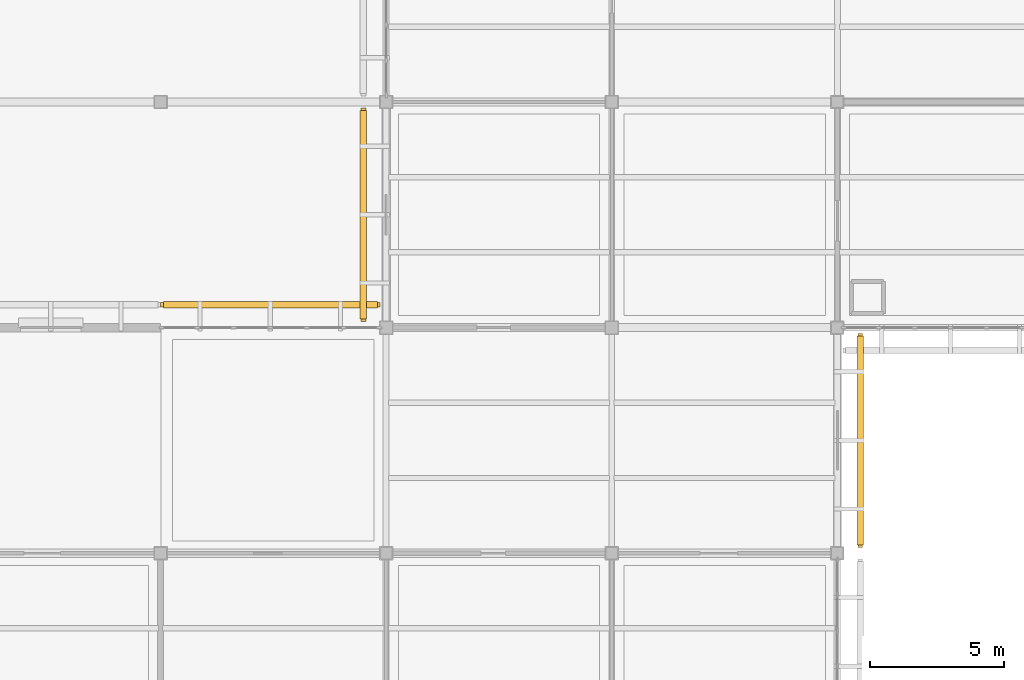
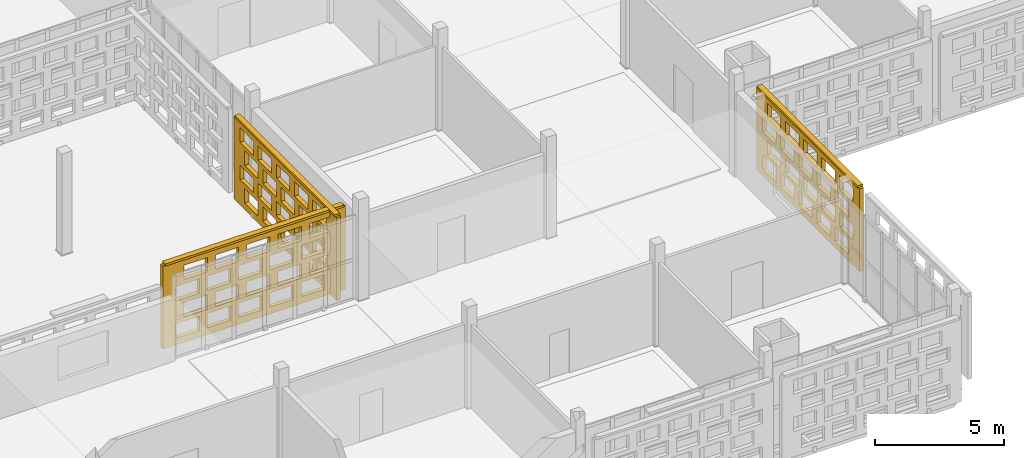
# One storey, part 140 of 203: 3 coverings, 3 shading devices, 60 openings.
"""IFC4 building model written with IfcOpenShell, lengths in metres."""

from ifc_helpers import new_model, si_unit, direction, frame, frame_2d, origin, origin_2d, place, context, subcontext, project, spatial, rectangle, extrude, material, layer, layer_set, type_object, element, save


model = new_model("IFC4")

# Units and contexts
model_context = context("Model", 3, precision=1e-05, world=origin(), true_north=direction((0.0, 1.0)))
body_context = subcontext(model_context, "Body", "Model", "MODEL_VIEW")
ifc_project = project(units=[si_unit("LENGTHUNIT", "METRE"), si_unit("AREAUNIT", "SQUARE_METRE"), si_unit("VOLUMEUNIT", "CUBIC_METRE"), si_unit("PLANEANGLEUNIT", "RADIAN"), si_unit("MASSUNIT", "GRAM", prefix="KILO")], contexts=[model_context])

# Site, building, storey
site_placement = place(None, origin())
site = spatial("IfcSite", under=ifc_project, at=site_placement, CompositionType="ELEMENT")
building_placement = place(site_placement, origin())
building = spatial("IfcBuilding", under=site, at=building_placement, Name="Varnapada Polytechnic", CompositionType="ELEMENT")
storey_placement = place(building_placement, frame((0.0, 0.0, 4.800048828125)))
storey = spatial("IfcBuildingStorey", under=building, at=storey_placement, Name="L01", CompositionType="ELEMENT", Elevation=4.800048828125)

# Covering, openings
ifc_material = material(Name="Earth-toned architectural terracotta screen block", Category="masonry")
ifc_layer_1 = layer(ifc_material, 0.1201171875)
ifc_layer_set_1 = layer_set([ifc_layer_1], Name="Earth-toned architectural terracotta screen block")
covering_type = type_object("IfcCoveringType", Name="Terracotta Screen Cladding CLD-01", PredefinedType="CLADDING", material=ifc_layer_set_1)
covering_1_placement = place(storey_placement, frame((33.60009765625, 17.64990234375, 0.0), z_axis=(0.0, 0.0, 1.0), x_axis=(1.0, 0.0, 0.0)))
covering_1 = element("IfcCovering", 1, at=covering_1_placement, inside=storey, type_object=covering_type, Name="L01 perforated terracotta block screen (29)", PredefinedType="CLADDING", context=body_context, shape_type="SweptSolid", body=[
    extrude(rectangle(XDim=8.169921875, YDim=0.179931640625, at=frame_2d((4.0849609375, 0.0))), origin(), (0.0, 0.0, 1.0), 3.919921875),
])
opening_1_placement = place(covering_1_placement, frame((0.5849609375, 0.0, 0.313720703125)))
element("IfcOpeningElement", 2, at=opening_1_placement, cuts=covering_1, Name="Screen perforation TBS-L01-028.1", PredefinedType="OPENING", context=body_context, shape_type="SweptSolid", body=[
    extrude(rectangle(XDim=1.0400390625, YDim=0.679931640625, at=frame_2d((0.52001953125, 0.33984375))), frame((0.0, 0.099853515625, 0.0), z_axis=(0.0, -1.0, 0.0), x_axis=(1.0, 0.0, 0.0)), (0.0, 0.0, 1.0), 0.199951171875),
])
opening_2_placement = place(covering_1_placement, frame((1.985107421875, 0.0, 0.313720703125)))
element("IfcOpeningElement", 3, at=opening_2_placement, cuts=covering_1, Name="Screen perforation TBS-L01-028.2", PredefinedType="OPENING", context=body_context, shape_type="SweptSolid", body=[
    extrude(rectangle(XDim=1.0400390625, YDim=0.679931640625, at=frame_2d((0.52001953125, 0.33984375))), frame((0.0, 0.099853515625, 0.0), z_axis=(0.0, -1.0, 0.0), x_axis=(1.0, 0.0, 0.0)), (0.0, 0.0, 1.0), 0.199951171875),
])
opening_3_placement = place(covering_1_placement, frame((3.385009765625, 0.0, 0.313720703125)))
element("IfcOpeningElement", 4, at=opening_3_placement, cuts=covering_1, Name="Screen perforation TBS-L01-028.3", PredefinedType="OPENING", context=body_context, shape_type="SweptSolid", body=[
    extrude(rectangle(XDim=1.0400390625, YDim=0.679931640625, at=frame_2d((0.52001953125, 0.33984375))), frame((0.0, 0.099853515625, 0.0), z_axis=(0.0, -1.0, 0.0), x_axis=(1.0, 0.0, 0.0)), (0.0, 0.0, 1.0), 0.199951171875),
])
opening_4_placement = place(covering_1_placement, frame((4.784912109375, 0.0, 0.313720703125)))
element("IfcOpeningElement", 5, at=opening_4_placement, cuts=covering_1, Name="Screen perforation TBS-L01-028.4", PredefinedType="OPENING", context=body_context, shape_type="SweptSolid", body=[
    extrude(rectangle(XDim=1.0400390625, YDim=0.679931640625, at=frame_2d((0.52001953125, 0.33984375))), frame((0.0, 0.099853515625, 0.0), z_axis=(0.0, -1.0, 0.0), x_axis=(1.0, 0.0, 0.0)), (0.0, 0.0, 1.0), 0.199951171875),
])
opening_5_placement = place(covering_1_placement, frame((6.18505859375, 0.0, 0.313720703125)))
element("IfcOpeningElement", 6, at=opening_5_placement, cuts=covering_1, Name="Screen perforation TBS-L01-028.5", PredefinedType="OPENING", context=body_context, shape_type="SweptSolid", body=[
    extrude(rectangle(XDim=1.0400390625, YDim=0.679931640625, at=frame_2d((0.52001953125, 0.33984375))), frame((0.0, 0.099853515625, 0.0), z_axis=(0.0, -1.0, 0.0), x_axis=(1.0, 0.0, 0.0)), (0.0, 0.0, 1.0), 0.199951171875),
])
opening_6_placement = place(covering_1_placement, frame((0.945068359375, 0.0, 1.195556640625)))
element("IfcOpeningElement", 7, at=opening_6_placement, cuts=covering_1, Name="Screen perforation TBS-L01-028.6", PredefinedType="OPENING", context=body_context, shape_type="SweptSolid", body=[
    extrude(rectangle(XDim=1.0400390625, YDim=0.679931640625, at=frame_2d((0.52001953125, 0.33984375))), frame((0.0, 0.099853515625, 0.0), z_axis=(0.0, -1.0, 0.0), x_axis=(1.0, 0.0, 0.0)), (0.0, 0.0, 1.0), 0.199951171875),
])
opening_7_placement = place(covering_1_placement, frame((2.344970703125, 0.0, 1.195556640625)))
element("IfcOpeningElement", 8, at=opening_7_placement, cuts=covering_1, Name="Screen perforation TBS-L01-028.7", PredefinedType="OPENING", context=body_context, shape_type="SweptSolid", body=[
    extrude(rectangle(XDim=1.0400390625, YDim=0.679931640625, at=frame_2d((0.52001953125, 0.33984375))), frame((0.0, 0.099853515625, 0.0), z_axis=(0.0, -1.0, 0.0), x_axis=(1.0, 0.0, 0.0)), (0.0, 0.0, 1.0), 0.199951171875),
])
opening_8_placement = place(covering_1_placement, frame((3.7451171875, 0.0, 1.195556640625)))
element("IfcOpeningElement", 9, at=opening_8_placement, cuts=covering_1, Name="Screen perforation TBS-L01-028.8", PredefinedType="OPENING", context=body_context, shape_type="SweptSolid", body=[
    extrude(rectangle(XDim=1.0400390625, YDim=0.679931640625, at=frame_2d((0.52001953125, 0.33984375))), frame((0.0, 0.099853515625, 0.0), z_axis=(0.0, -1.0, 0.0), x_axis=(1.0, 0.0, 0.0)), (0.0, 0.0, 1.0), 0.199951171875),
])
opening_9_placement = place(covering_1_placement, frame((5.14501953125, 0.0, 1.195556640625)))
element("IfcOpeningElement", 10, at=opening_9_placement, cuts=covering_1, Name="Screen perforation TBS-L01-028.9", PredefinedType="OPENING", context=body_context, shape_type="SweptSolid", body=[
    extrude(rectangle(XDim=1.0400390625, YDim=0.679931640625, at=frame_2d((0.52001953125, 0.33984375))), frame((0.0, 0.099853515625, 0.0), z_axis=(0.0, -1.0, 0.0), x_axis=(1.0, 0.0, 0.0)), (0.0, 0.0, 1.0), 0.199951171875),
])
opening_10_placement = place(covering_1_placement, frame((6.544921875, 0.0, 1.195556640625)))
element("IfcOpeningElement", 11, at=opening_10_placement, cuts=covering_1, Name="Screen perforation TBS-L01-028.10", PredefinedType="OPENING", context=body_context, shape_type="SweptSolid", body=[
    extrude(rectangle(XDim=1.0400390625, YDim=0.679931640625, at=frame_2d((0.52001953125, 0.33984375))), frame((0.0, 0.099853515625, 0.0), z_axis=(0.0, -1.0, 0.0), x_axis=(1.0, 0.0, 0.0)), (0.0, 0.0, 1.0), 0.199951171875),
])
opening_11_placement = place(covering_1_placement, frame((0.5849609375, 0.0, 2.07763671875)))
element("IfcOpeningElement", 12, at=opening_11_placement, cuts=covering_1, Name="Screen perforation TBS-L01-028.11", PredefinedType="OPENING", context=body_context, shape_type="SweptSolid", body=[
    extrude(rectangle(XDim=1.0400390625, YDim=0.679931640625, at=frame_2d((0.52001953125, 0.33984375))), frame((0.0, 0.099853515625, 0.0), z_axis=(0.0, -1.0, 0.0), x_axis=(1.0, 0.0, 0.0)), (0.0, 0.0, 1.0), 0.199951171875),
])
opening_12_placement = place(covering_1_placement, frame((1.985107421875, 0.0, 2.07763671875)))
element("IfcOpeningElement", 13, at=opening_12_placement, cuts=covering_1, Name="Screen perforation TBS-L01-028.12", PredefinedType="OPENING", context=body_context, shape_type="SweptSolid", body=[
    extrude(rectangle(XDim=1.0400390625, YDim=0.679931640625, at=frame_2d((0.52001953125, 0.33984375))), frame((0.0, 0.099853515625, 0.0), z_axis=(0.0, -1.0, 0.0), x_axis=(1.0, 0.0, 0.0)), (0.0, 0.0, 1.0), 0.199951171875),
])
opening_13_placement = place(covering_1_placement, frame((3.385009765625, 0.0, 2.07763671875)))
element("IfcOpeningElement", 14, at=opening_13_placement, cuts=covering_1, Name="Screen perforation TBS-L01-028.13", PredefinedType="OPENING", context=body_context, shape_type="SweptSolid", body=[
    extrude(rectangle(XDim=1.0400390625, YDim=0.679931640625, at=frame_2d((0.52001953125, 0.33984375))), frame((0.0, 0.099853515625, 0.0), z_axis=(0.0, -1.0, 0.0), x_axis=(1.0, 0.0, 0.0)), (0.0, 0.0, 1.0), 0.199951171875),
])
opening_14_placement = place(covering_1_placement, frame((4.784912109375, 0.0, 2.07763671875)))
element("IfcOpeningElement", 15, at=opening_14_placement, cuts=covering_1, Name="Screen perforation TBS-L01-028.14", PredefinedType="OPENING", context=body_context, shape_type="SweptSolid", body=[
    extrude(rectangle(XDim=1.0400390625, YDim=0.679931640625, at=frame_2d((0.52001953125, 0.33984375))), frame((0.0, 0.099853515625, 0.0), z_axis=(0.0, -1.0, 0.0), x_axis=(1.0, 0.0, 0.0)), (0.0, 0.0, 1.0), 0.199951171875),
])
opening_15_placement = place(covering_1_placement, frame((6.18505859375, 0.0, 2.07763671875)))
element("IfcOpeningElement", 16, at=opening_15_placement, cuts=covering_1, Name="Screen perforation TBS-L01-028.15", PredefinedType="OPENING", context=body_context, shape_type="SweptSolid", body=[
    extrude(rectangle(XDim=1.0400390625, YDim=0.679931640625, at=frame_2d((0.52001953125, 0.33984375))), frame((0.0, 0.099853515625, 0.0), z_axis=(0.0, -1.0, 0.0), x_axis=(1.0, 0.0, 0.0)), (0.0, 0.0, 1.0), 0.199951171875),
])
opening_16_placement = place(covering_1_placement, frame((0.945068359375, 0.0, 2.959716796875)))
element("IfcOpeningElement", 17, at=opening_16_placement, cuts=covering_1, Name="Screen perforation TBS-L01-028.16", PredefinedType="OPENING", context=body_context, shape_type="SweptSolid", body=[
    extrude(rectangle(XDim=1.0400390625, YDim=0.679931640625, at=frame_2d((0.52001953125, 0.33984375))), frame((0.0, 0.099853515625, 0.0), z_axis=(0.0, -1.0, 0.0), x_axis=(1.0, 0.0, 0.0)), (0.0, 0.0, 1.0), 0.199951171875),
])
opening_17_placement = place(covering_1_placement, frame((2.344970703125, 0.0, 2.959716796875)))
element("IfcOpeningElement", 18, at=opening_17_placement, cuts=covering_1, Name="Screen perforation TBS-L01-028.17", PredefinedType="OPENING", context=body_context, shape_type="SweptSolid", body=[
    extrude(rectangle(XDim=1.0400390625, YDim=0.679931640625, at=frame_2d((0.52001953125, 0.33984375))), frame((0.0, 0.099853515625, 0.0), z_axis=(0.0, -1.0, 0.0), x_axis=(1.0, 0.0, 0.0)), (0.0, 0.0, 1.0), 0.199951171875),
])
opening_18_placement = place(covering_1_placement, frame((3.7451171875, 0.0, 2.959716796875)))
element("IfcOpeningElement", 19, at=opening_18_placement, cuts=covering_1, Name="Screen perforation TBS-L01-028.18", PredefinedType="OPENING", context=body_context, shape_type="SweptSolid", body=[
    extrude(rectangle(XDim=1.0400390625, YDim=0.679931640625, at=frame_2d((0.52001953125, 0.33984375))), frame((0.0, 0.099853515625, 0.0), z_axis=(0.0, -1.0, 0.0), x_axis=(1.0, 0.0, 0.0)), (0.0, 0.0, 1.0), 0.199951171875),
])
opening_19_placement = place(covering_1_placement, frame((5.14501953125, 0.0, 2.959716796875)))
element("IfcOpeningElement", 20, at=opening_19_placement, cuts=covering_1, Name="Screen perforation TBS-L01-028.19", PredefinedType="OPENING", context=body_context, shape_type="SweptSolid", body=[
    extrude(rectangle(XDim=1.0400390625, YDim=0.679931640625, at=frame_2d((0.52001953125, 0.33984375))), frame((0.0, 0.099853515625, 0.0), z_axis=(0.0, -1.0, 0.0), x_axis=(1.0, 0.0, 0.0)), (0.0, 0.0, 1.0), 0.199951171875),
])
opening_20_placement = place(covering_1_placement, frame((6.544921875, 0.0, 2.959716796875)))
element("IfcOpeningElement", 21, at=opening_20_placement, cuts=covering_1, Name="Screen perforation TBS-L01-028.20", PredefinedType="OPENING", context=body_context, shape_type="SweptSolid", body=[
    extrude(rectangle(XDim=1.0400390625, YDim=0.679931640625, at=frame_2d((0.52001953125, 0.33984375))), frame((0.0, 0.099853515625, 0.0), z_axis=(0.0, -1.0, 0.0), x_axis=(1.0, 0.0, 0.0)), (0.0, 0.0, 1.0), 0.199951171875),
])

covering_2_placement = place(storey_placement, frame((41.14990234375, 17.030029296875, 0.0), z_axis=(0.0, 0.0, 1.0), x_axis=(0.0, 1.0, 0.0)))
covering_2 = element("IfcCovering", 22, at=covering_2_placement, inside=storey, type_object=covering_type, Name="L01 perforated terracotta block screen (38)", PredefinedType="CLADDING", context=body_context, shape_type="SweptSolid", body=[
    extrude(rectangle(XDim=7.949951171875, YDim=0.179931640625, at=frame_2d((3.97509765625, 0.0))), origin(), (0.0, 0.0, 1.0), 3.919921875),
])
opening_21_placement = place(covering_2_placement, frame((0.47509765625, 0.0, 0.313720703125)))
element("IfcOpeningElement", 23, at=opening_21_placement, cuts=covering_2, Name="Screen perforation TBS-L01-037.1", PredefinedType="OPENING", context=body_context, shape_type="SweptSolid", body=[
    extrude(rectangle(XDim=1.0400390625, YDim=0.679931640625, at=frame_2d((0.52001953125, 0.33984375))), frame((0.0, 0.099853515625, 0.0), z_axis=(0.0, -1.0, 0.0), x_axis=(1.0, 0.0, 0.0)), (0.0, 0.0, 1.0), 0.199951171875),
])
opening_22_placement = place(covering_2_placement, frame((1.875, 0.0, 0.313720703125)))
element("IfcOpeningElement", 24, at=opening_22_placement, cuts=covering_2, Name="Screen perforation TBS-L01-037.2", PredefinedType="OPENING", context=body_context, shape_type="SweptSolid", body=[
    extrude(rectangle(XDim=1.0400390625, YDim=0.679931640625, at=frame_2d((0.52001953125, 0.33984375))), frame((0.0, 0.099853515625, 0.0), z_axis=(0.0, -1.0, 0.0), x_axis=(1.0, 0.0, 0.0)), (0.0, 0.0, 1.0), 0.199951171875),
])
opening_23_placement = place(covering_2_placement, frame((3.27490234375, 0.0, 0.313720703125)))
element("IfcOpeningElement", 25, at=opening_23_placement, cuts=covering_2, Name="Screen perforation TBS-L01-037.3", PredefinedType="OPENING", context=body_context, shape_type="SweptSolid", body=[
    extrude(rectangle(XDim=1.0400390625, YDim=0.679931640625, at=frame_2d((0.52001953125, 0.33984375))), frame((0.0, 0.099853515625, 0.0), z_axis=(0.0, -1.0, 0.0), x_axis=(1.0, 0.0, 0.0)), (0.0, 0.0, 1.0), 0.199951171875),
])
opening_24_placement = place(covering_2_placement, frame((4.675048828125, 0.0, 0.313720703125)))
element("IfcOpeningElement", 26, at=opening_24_placement, cuts=covering_2, Name="Screen perforation TBS-L01-037.4", PredefinedType="OPENING", context=body_context, shape_type="SweptSolid", body=[
    extrude(rectangle(XDim=1.0400390625, YDim=0.679931640625, at=frame_2d((0.52001953125, 0.33984375))), frame((0.0, 0.099853515625, 0.0), z_axis=(0.0, -1.0, 0.0), x_axis=(1.0, 0.0, 0.0)), (0.0, 0.0, 1.0), 0.199951171875),
])
opening_25_placement = place(covering_2_placement, frame((6.074951171875, 0.0, 0.313720703125)))
element("IfcOpeningElement", 27, at=opening_25_placement, cuts=covering_2, Name="Screen perforation TBS-L01-037.5", PredefinedType="OPENING", context=body_context, shape_type="SweptSolid", body=[
    extrude(rectangle(XDim=1.0400390625, YDim=0.679931640625, at=frame_2d((0.52001953125, 0.33984375))), frame((0.0, 0.099853515625, 0.0), z_axis=(0.0, -1.0, 0.0), x_axis=(1.0, 0.0, 0.0)), (0.0, 0.0, 1.0), 0.199951171875),
])
opening_26_placement = place(covering_2_placement, frame((0.8349609375, 0.0, 1.195556640625)))
element("IfcOpeningElement", 28, at=opening_26_placement, cuts=covering_2, Name="Screen perforation TBS-L01-037.6", PredefinedType="OPENING", context=body_context, shape_type="SweptSolid", body=[
    extrude(rectangle(XDim=1.0400390625, YDim=0.679931640625, at=frame_2d((0.52001953125, 0.33984375))), frame((0.0, 0.099853515625, 0.0), z_axis=(0.0, -1.0, 0.0), x_axis=(1.0, 0.0, 0.0)), (0.0, 0.0, 1.0), 0.199951171875),
])
opening_27_placement = place(covering_2_placement, frame((2.235107421875, 0.0, 1.195556640625)))
element("IfcOpeningElement", 29, at=opening_27_placement, cuts=covering_2, Name="Screen perforation TBS-L01-037.7", PredefinedType="OPENING", context=body_context, shape_type="SweptSolid", body=[
    extrude(rectangle(XDim=1.0400390625, YDim=0.679931640625, at=frame_2d((0.52001953125, 0.33984375))), frame((0.0, 0.099853515625, 0.0), z_axis=(0.0, -1.0, 0.0), x_axis=(1.0, 0.0, 0.0)), (0.0, 0.0, 1.0), 0.199951171875),
])
opening_28_placement = place(covering_2_placement, frame((3.635009765625, 0.0, 1.195556640625)))
element("IfcOpeningElement", 30, at=opening_28_placement, cuts=covering_2, Name="Screen perforation TBS-L01-037.8", PredefinedType="OPENING", context=body_context, shape_type="SweptSolid", body=[
    extrude(rectangle(XDim=1.0400390625, YDim=0.679931640625, at=frame_2d((0.52001953125, 0.33984375))), frame((0.0, 0.099853515625, 0.0), z_axis=(0.0, -1.0, 0.0), x_axis=(1.0, 0.0, 0.0)), (0.0, 0.0, 1.0), 0.199951171875),
])
opening_29_placement = place(covering_2_placement, frame((5.034912109375, 0.0, 1.195556640625)))
element("IfcOpeningElement", 31, at=opening_29_placement, cuts=covering_2, Name="Screen perforation TBS-L01-037.9", PredefinedType="OPENING", context=body_context, shape_type="SweptSolid", body=[
    extrude(rectangle(XDim=1.0400390625, YDim=0.679931640625, at=frame_2d((0.52001953125, 0.33984375))), frame((0.0, 0.099853515625, 0.0), z_axis=(0.0, -1.0, 0.0), x_axis=(1.0, 0.0, 0.0)), (0.0, 0.0, 1.0), 0.199951171875),
])
opening_30_placement = place(covering_2_placement, frame((6.43505859375, 0.0, 1.195556640625)))
element("IfcOpeningElement", 32, at=opening_30_placement, cuts=covering_2, Name="Screen perforation TBS-L01-037.10", PredefinedType="OPENING", context=body_context, shape_type="SweptSolid", body=[
    extrude(rectangle(XDim=1.0400390625, YDim=0.679931640625, at=frame_2d((0.52001953125, 0.33984375))), frame((0.0, 0.099853515625, 0.0), z_axis=(0.0, -1.0, 0.0), x_axis=(1.0, 0.0, 0.0)), (0.0, 0.0, 1.0), 0.199951171875),
])
opening_31_placement = place(covering_2_placement, frame((0.47509765625, 0.0, 2.07763671875)))
element("IfcOpeningElement", 33, at=opening_31_placement, cuts=covering_2, Name="Screen perforation TBS-L01-037.11", PredefinedType="OPENING", context=body_context, shape_type="SweptSolid", body=[
    extrude(rectangle(XDim=1.0400390625, YDim=0.679931640625, at=frame_2d((0.52001953125, 0.33984375))), frame((0.0, 0.099853515625, 0.0), z_axis=(0.0, -1.0, 0.0), x_axis=(1.0, 0.0, 0.0)), (0.0, 0.0, 1.0), 0.199951171875),
])
opening_32_placement = place(covering_2_placement, frame((1.875, 0.0, 2.07763671875)))
element("IfcOpeningElement", 34, at=opening_32_placement, cuts=covering_2, Name="Screen perforation TBS-L01-037.12", PredefinedType="OPENING", context=body_context, shape_type="SweptSolid", body=[
    extrude(rectangle(XDim=1.0400390625, YDim=0.679931640625, at=frame_2d((0.52001953125, 0.33984375))), frame((0.0, 0.099853515625, 0.0), z_axis=(0.0, -1.0, 0.0), x_axis=(1.0, 0.0, 0.0)), (0.0, 0.0, 1.0), 0.199951171875),
])
opening_33_placement = place(covering_2_placement, frame((3.27490234375, 0.0, 2.07763671875)))
element("IfcOpeningElement", 35, at=opening_33_placement, cuts=covering_2, Name="Screen perforation TBS-L01-037.13", PredefinedType="OPENING", context=body_context, shape_type="SweptSolid", body=[
    extrude(rectangle(XDim=1.0400390625, YDim=0.679931640625, at=frame_2d((0.52001953125, 0.33984375))), frame((0.0, 0.099853515625, 0.0), z_axis=(0.0, -1.0, 0.0), x_axis=(1.0, 0.0, 0.0)), (0.0, 0.0, 1.0), 0.199951171875),
])
opening_34_placement = place(covering_2_placement, frame((4.675048828125, 0.0, 2.07763671875)))
element("IfcOpeningElement", 36, at=opening_34_placement, cuts=covering_2, Name="Screen perforation TBS-L01-037.14", PredefinedType="OPENING", context=body_context, shape_type="SweptSolid", body=[
    extrude(rectangle(XDim=1.0400390625, YDim=0.679931640625, at=frame_2d((0.52001953125, 0.33984375))), frame((0.0, 0.099853515625, 0.0), z_axis=(0.0, -1.0, 0.0), x_axis=(1.0, 0.0, 0.0)), (0.0, 0.0, 1.0), 0.199951171875),
])
opening_35_placement = place(covering_2_placement, frame((6.074951171875, 0.0, 2.07763671875)))
element("IfcOpeningElement", 37, at=opening_35_placement, cuts=covering_2, Name="Screen perforation TBS-L01-037.15", PredefinedType="OPENING", context=body_context, shape_type="SweptSolid", body=[
    extrude(rectangle(XDim=1.0400390625, YDim=0.679931640625, at=frame_2d((0.52001953125, 0.33984375))), frame((0.0, 0.099853515625, 0.0), z_axis=(0.0, -1.0, 0.0), x_axis=(1.0, 0.0, 0.0)), (0.0, 0.0, 1.0), 0.199951171875),
])
opening_36_placement = place(covering_2_placement, frame((0.8349609375, 0.0, 2.959716796875)))
element("IfcOpeningElement", 38, at=opening_36_placement, cuts=covering_2, Name="Screen perforation TBS-L01-037.16", PredefinedType="OPENING", context=body_context, shape_type="SweptSolid", body=[
    extrude(rectangle(XDim=1.0400390625, YDim=0.679931640625, at=frame_2d((0.52001953125, 0.33984375))), frame((0.0, 0.099853515625, 0.0), z_axis=(0.0, -1.0, 0.0), x_axis=(1.0, 0.0, 0.0)), (0.0, 0.0, 1.0), 0.199951171875),
])
opening_37_placement = place(covering_2_placement, frame((2.235107421875, 0.0, 2.959716796875)))
element("IfcOpeningElement", 39, at=opening_37_placement, cuts=covering_2, Name="Screen perforation TBS-L01-037.17", PredefinedType="OPENING", context=body_context, shape_type="SweptSolid", body=[
    extrude(rectangle(XDim=1.0400390625, YDim=0.679931640625, at=frame_2d((0.52001953125, 0.33984375))), frame((0.0, 0.099853515625, 0.0), z_axis=(0.0, -1.0, 0.0), x_axis=(1.0, 0.0, 0.0)), (0.0, 0.0, 1.0), 0.199951171875),
])
opening_38_placement = place(covering_2_placement, frame((3.635009765625, 0.0, 2.959716796875)))
element("IfcOpeningElement", 40, at=opening_38_placement, cuts=covering_2, Name="Screen perforation TBS-L01-037.18", PredefinedType="OPENING", context=body_context, shape_type="SweptSolid", body=[
    extrude(rectangle(XDim=1.0400390625, YDim=0.679931640625, at=frame_2d((0.52001953125, 0.33984375))), frame((0.0, 0.099853515625, 0.0), z_axis=(0.0, -1.0, 0.0), x_axis=(1.0, 0.0, 0.0)), (0.0, 0.0, 1.0), 0.199951171875),
])
opening_39_placement = place(covering_2_placement, frame((5.034912109375, 0.0, 2.959716796875)))
element("IfcOpeningElement", 41, at=opening_39_placement, cuts=covering_2, Name="Screen perforation TBS-L01-037.19", PredefinedType="OPENING", context=body_context, shape_type="SweptSolid", body=[
    extrude(rectangle(XDim=1.0400390625, YDim=0.679931640625, at=frame_2d((0.52001953125, 0.33984375))), frame((0.0, 0.099853515625, 0.0), z_axis=(0.0, -1.0, 0.0), x_axis=(1.0, 0.0, 0.0)), (0.0, 0.0, 1.0), 0.199951171875),
])
opening_40_placement = place(covering_2_placement, frame((6.43505859375, 0.0, 2.959716796875)))
element("IfcOpeningElement", 42, at=opening_40_placement, cuts=covering_2, Name="Screen perforation TBS-L01-037.20", PredefinedType="OPENING", context=body_context, shape_type="SweptSolid", body=[
    extrude(rectangle(XDim=1.0400390625, YDim=0.679931640625, at=frame_2d((0.52001953125, 0.33984375))), frame((0.0, 0.099853515625, 0.0), z_axis=(0.0, -1.0, 0.0), x_axis=(1.0, 0.0, 0.0)), (0.0, 0.0, 1.0), 0.199951171875),
])

covering_3_placement = place(storey_placement, frame((59.64990234375, 16.590087890625, 0.0), z_axis=(0.0, 0.0, 1.0), x_axis=(0.0, -1.0, 0.0)))
covering_3 = element("IfcCovering", 43, at=covering_3_placement, inside=storey, type_object=covering_type, Name="L01 perforated terracotta block screen (45)", PredefinedType="CLADDING", context=body_context, shape_type="SweptSolid", body=[
    extrude(rectangle(XDim=7.97998046875, YDim=0.179931640625, at=frame_2d((3.989990234375, 0.0))), origin(), (0.0, 0.0, 1.0), 3.919921875),
])
opening_41_placement = place(covering_3_placement, frame((0.489990234375, 0.0, 0.313720703125)))
element("IfcOpeningElement", 44, at=opening_41_placement, cuts=covering_3, Name="Screen perforation TBS-L01-044.1", PredefinedType="OPENING", context=body_context, shape_type="SweptSolid", body=[
    extrude(rectangle(XDim=1.0400390625, YDim=0.679931640625, at=frame_2d((0.52001953125, 0.33984375))), frame((0.0, 0.099853515625, 0.0), z_axis=(0.0, -1.0, 0.0), x_axis=(1.0, 0.0, 0.0)), (0.0, 0.0, 1.0), 0.199951171875),
])
opening_42_placement = place(covering_3_placement, frame((1.889892578125, 0.0, 0.313720703125)))
element("IfcOpeningElement", 45, at=opening_42_placement, cuts=covering_3, Name="Screen perforation TBS-L01-044.2", PredefinedType="OPENING", context=body_context, shape_type="SweptSolid", body=[
    extrude(rectangle(XDim=1.0400390625, YDim=0.679931640625, at=frame_2d((0.52001953125, 0.33984375))), frame((0.0, 0.099853515625, 0.0), z_axis=(0.0, -1.0, 0.0), x_axis=(1.0, 0.0, 0.0)), (0.0, 0.0, 1.0), 0.199951171875),
])
opening_43_placement = place(covering_3_placement, frame((3.2900390625, 0.0, 0.313720703125)))
element("IfcOpeningElement", 46, at=opening_43_placement, cuts=covering_3, Name="Screen perforation TBS-L01-044.3", PredefinedType="OPENING", context=body_context, shape_type="SweptSolid", body=[
    extrude(rectangle(XDim=1.0400390625, YDim=0.679931640625, at=frame_2d((0.52001953125, 0.33984375))), frame((0.0, 0.099853515625, 0.0), z_axis=(0.0, -1.0, 0.0), x_axis=(1.0, 0.0, 0.0)), (0.0, 0.0, 1.0), 0.199951171875),
])
opening_44_placement = place(covering_3_placement, frame((4.68994140625, 0.0, 0.313720703125)))
element("IfcOpeningElement", 47, at=opening_44_placement, cuts=covering_3, Name="Screen perforation TBS-L01-044.4", PredefinedType="OPENING", context=body_context, shape_type="SweptSolid", body=[
    extrude(rectangle(XDim=1.0400390625, YDim=0.679931640625, at=frame_2d((0.52001953125, 0.33984375))), frame((0.0, 0.099853515625, 0.0), z_axis=(0.0, -1.0, 0.0), x_axis=(1.0, 0.0, 0.0)), (0.0, 0.0, 1.0), 0.199951171875),
])
opening_45_placement = place(covering_3_placement, frame((6.090087890625, 0.0, 0.313720703125)))
element("IfcOpeningElement", 48, at=opening_45_placement, cuts=covering_3, Name="Screen perforation TBS-L01-044.5", PredefinedType="OPENING", context=body_context, shape_type="SweptSolid", body=[
    extrude(rectangle(XDim=1.0400390625, YDim=0.679931640625, at=frame_2d((0.52001953125, 0.33984375))), frame((0.0, 0.099853515625, 0.0), z_axis=(0.0, -1.0, 0.0), x_axis=(1.0, 0.0, 0.0)), (0.0, 0.0, 1.0), 0.199951171875),
])
opening_46_placement = place(covering_3_placement, frame((0.85009765625, 0.0, 1.195556640625)))
element("IfcOpeningElement", 49, at=opening_46_placement, cuts=covering_3, Name="Screen perforation TBS-L01-044.6", PredefinedType="OPENING", context=body_context, shape_type="SweptSolid", body=[
    extrude(rectangle(XDim=1.0400390625, YDim=0.679931640625, at=frame_2d((0.52001953125, 0.33984375))), frame((0.0, 0.099853515625, 0.0), z_axis=(0.0, -1.0, 0.0), x_axis=(1.0, 0.0, 0.0)), (0.0, 0.0, 1.0), 0.199951171875),
])
opening_47_placement = place(covering_3_placement, frame((2.25, 0.0, 1.195556640625)))
element("IfcOpeningElement", 50, at=opening_47_placement, cuts=covering_3, Name="Screen perforation TBS-L01-044.7", PredefinedType="OPENING", context=body_context, shape_type="SweptSolid", body=[
    extrude(rectangle(XDim=1.0400390625, YDim=0.679931640625, at=frame_2d((0.52001953125, 0.33984375))), frame((0.0, 0.099853515625, 0.0), z_axis=(0.0, -1.0, 0.0), x_axis=(1.0, 0.0, 0.0)), (0.0, 0.0, 1.0), 0.199951171875),
])
opening_48_placement = place(covering_3_placement, frame((3.64990234375, 0.0, 1.195556640625)))
element("IfcOpeningElement", 51, at=opening_48_placement, cuts=covering_3, Name="Screen perforation TBS-L01-044.8", PredefinedType="OPENING", context=body_context, shape_type="SweptSolid", body=[
    extrude(rectangle(XDim=1.0400390625, YDim=0.679931640625, at=frame_2d((0.52001953125, 0.33984375))), frame((0.0, 0.099853515625, 0.0), z_axis=(0.0, -1.0, 0.0), x_axis=(1.0, 0.0, 0.0)), (0.0, 0.0, 1.0), 0.199951171875),
])
opening_49_placement = place(covering_3_placement, frame((5.050048828125, 0.0, 1.195556640625)))
element("IfcOpeningElement", 52, at=opening_49_placement, cuts=covering_3, Name="Screen perforation TBS-L01-044.9", PredefinedType="OPENING", context=body_context, shape_type="SweptSolid", body=[
    extrude(rectangle(XDim=1.0400390625, YDim=0.679931640625, at=frame_2d((0.52001953125, 0.33984375))), frame((0.0, 0.099853515625, 0.0), z_axis=(0.0, -1.0, 0.0), x_axis=(1.0, 0.0, 0.0)), (0.0, 0.0, 1.0), 0.199951171875),
])
opening_50_placement = place(covering_3_placement, frame((6.449951171875, 0.0, 1.195556640625)))
element("IfcOpeningElement", 53, at=opening_50_placement, cuts=covering_3, Name="Screen perforation TBS-L01-044.10", PredefinedType="OPENING", context=body_context, shape_type="SweptSolid", body=[
    extrude(rectangle(XDim=1.0400390625, YDim=0.679931640625, at=frame_2d((0.52001953125, 0.33984375))), frame((0.0, 0.099853515625, 0.0), z_axis=(0.0, -1.0, 0.0), x_axis=(1.0, 0.0, 0.0)), (0.0, 0.0, 1.0), 0.199951171875),
])
opening_51_placement = place(covering_3_placement, frame((0.489990234375, 0.0, 2.07763671875)))
element("IfcOpeningElement", 54, at=opening_51_placement, cuts=covering_3, Name="Screen perforation TBS-L01-044.11", PredefinedType="OPENING", context=body_context, shape_type="SweptSolid", body=[
    extrude(rectangle(XDim=1.0400390625, YDim=0.679931640625, at=frame_2d((0.52001953125, 0.33984375))), frame((0.0, 0.099853515625, 0.0), z_axis=(0.0, -1.0, 0.0), x_axis=(1.0, 0.0, 0.0)), (0.0, 0.0, 1.0), 0.199951171875),
])
opening_52_placement = place(covering_3_placement, frame((1.889892578125, 0.0, 2.07763671875)))
element("IfcOpeningElement", 55, at=opening_52_placement, cuts=covering_3, Name="Screen perforation TBS-L01-044.12", PredefinedType="OPENING", context=body_context, shape_type="SweptSolid", body=[
    extrude(rectangle(XDim=1.0400390625, YDim=0.679931640625, at=frame_2d((0.52001953125, 0.33984375))), frame((0.0, 0.099853515625, 0.0), z_axis=(0.0, -1.0, 0.0), x_axis=(1.0, 0.0, 0.0)), (0.0, 0.0, 1.0), 0.199951171875),
])
opening_53_placement = place(covering_3_placement, frame((3.2900390625, 0.0, 2.07763671875)))
element("IfcOpeningElement", 56, at=opening_53_placement, cuts=covering_3, Name="Screen perforation TBS-L01-044.13", PredefinedType="OPENING", context=body_context, shape_type="SweptSolid", body=[
    extrude(rectangle(XDim=1.0400390625, YDim=0.679931640625, at=frame_2d((0.52001953125, 0.33984375))), frame((0.0, 0.099853515625, 0.0), z_axis=(0.0, -1.0, 0.0), x_axis=(1.0, 0.0, 0.0)), (0.0, 0.0, 1.0), 0.199951171875),
])
opening_54_placement = place(covering_3_placement, frame((4.68994140625, 0.0, 2.07763671875)))
element("IfcOpeningElement", 57, at=opening_54_placement, cuts=covering_3, Name="Screen perforation TBS-L01-044.14", PredefinedType="OPENING", context=body_context, shape_type="SweptSolid", body=[
    extrude(rectangle(XDim=1.0400390625, YDim=0.679931640625, at=frame_2d((0.52001953125, 0.33984375))), frame((0.0, 0.099853515625, 0.0), z_axis=(0.0, -1.0, 0.0), x_axis=(1.0, 0.0, 0.0)), (0.0, 0.0, 1.0), 0.199951171875),
])
opening_55_placement = place(covering_3_placement, frame((6.090087890625, 0.0, 2.07763671875)))
element("IfcOpeningElement", 58, at=opening_55_placement, cuts=covering_3, Name="Screen perforation TBS-L01-044.15", PredefinedType="OPENING", context=body_context, shape_type="SweptSolid", body=[
    extrude(rectangle(XDim=1.0400390625, YDim=0.679931640625, at=frame_2d((0.52001953125, 0.33984375))), frame((0.0, 0.099853515625, 0.0), z_axis=(0.0, -1.0, 0.0), x_axis=(1.0, 0.0, 0.0)), (0.0, 0.0, 1.0), 0.199951171875),
])
opening_56_placement = place(covering_3_placement, frame((0.85009765625, 0.0, 2.959716796875)))
element("IfcOpeningElement", 59, at=opening_56_placement, cuts=covering_3, Name="Screen perforation TBS-L01-044.16", PredefinedType="OPENING", context=body_context, shape_type="SweptSolid", body=[
    extrude(rectangle(XDim=1.0400390625, YDim=0.679931640625, at=frame_2d((0.52001953125, 0.33984375))), frame((0.0, 0.099853515625, 0.0), z_axis=(0.0, -1.0, 0.0), x_axis=(1.0, 0.0, 0.0)), (0.0, 0.0, 1.0), 0.199951171875),
])
opening_57_placement = place(covering_3_placement, frame((2.25, 0.0, 2.959716796875)))
element("IfcOpeningElement", 60, at=opening_57_placement, cuts=covering_3, Name="Screen perforation TBS-L01-044.17", PredefinedType="OPENING", context=body_context, shape_type="SweptSolid", body=[
    extrude(rectangle(XDim=1.0400390625, YDim=0.679931640625, at=frame_2d((0.52001953125, 0.33984375))), frame((0.0, 0.099853515625, 0.0), z_axis=(0.0, -1.0, 0.0), x_axis=(1.0, 0.0, 0.0)), (0.0, 0.0, 1.0), 0.199951171875),
])
opening_58_placement = place(covering_3_placement, frame((3.64990234375, 0.0, 2.959716796875)))
element("IfcOpeningElement", 61, at=opening_58_placement, cuts=covering_3, Name="Screen perforation TBS-L01-044.18", PredefinedType="OPENING", context=body_context, shape_type="SweptSolid", body=[
    extrude(rectangle(XDim=1.0400390625, YDim=0.679931640625, at=frame_2d((0.52001953125, 0.33984375))), frame((0.0, 0.099853515625, 0.0), z_axis=(0.0, -1.0, 0.0), x_axis=(1.0, 0.0, 0.0)), (0.0, 0.0, 1.0), 0.199951171875),
])
opening_59_placement = place(covering_3_placement, frame((5.050048828125, 0.0, 2.959716796875)))
element("IfcOpeningElement", 62, at=opening_59_placement, cuts=covering_3, Name="Screen perforation TBS-L01-044.19", PredefinedType="OPENING", context=body_context, shape_type="SweptSolid", body=[
    extrude(rectangle(XDim=1.0400390625, YDim=0.679931640625, at=frame_2d((0.52001953125, 0.33984375))), frame((0.0, 0.099853515625, 0.0), z_axis=(0.0, -1.0, 0.0), x_axis=(1.0, 0.0, 0.0)), (0.0, 0.0, 1.0), 0.199951171875),
])
opening_60_placement = place(covering_3_placement, frame((6.449951171875, 0.0, 2.959716796875)))
element("IfcOpeningElement", 63, at=opening_60_placement, cuts=covering_3, Name="Screen perforation TBS-L01-044.20", PredefinedType="OPENING", context=body_context, shape_type="SweptSolid", body=[
    extrude(rectangle(XDim=1.0400390625, YDim=0.679931640625, at=frame_2d((0.52001953125, 0.33984375))), frame((0.0, 0.099853515625, 0.0), z_axis=(0.0, -1.0, 0.0), x_axis=(1.0, 0.0, 0.0)), (0.0, 0.0, 1.0), 0.199951171875),
])

# Shading devices
ifc_layer_2 = layer(ifc_material, 0.179931640625)
ifc_layer_set_2 = layer_set([ifc_layer_2], Name="Earth-toned architectural terracotta screen block")
shading_device_type = type_object("IfcShadingDeviceType", Name="Terracotta Screen SCR-02", PredefinedType="USERDEFINED", material=ifc_layer_set_2)
shading_device_1_placement = place(storey_placement, frame((37.68505859375, 17.64990234375, 3.909912109375), z_axis=(0.0, 0.0, 1.0), x_axis=(1.0, 0.0, 0.0)))
element("IfcShadingDevice", 64, at=shading_device_1_placement, inside=storey, type_object=shading_device_type, Name="L01 perforated terracotta screen hood 110", ObjectType="SCREEN", PredefinedType="USERDEFINED", context=body_context, shape_type="SweptSolid", body=[
    extrude(rectangle(XDim=7.969970703125, YDim=0.239990234375, at=origin_2d()), origin(), (0.0, 0.0, 1.0), 0.10009765625),
])
shading_device_2_placement = place(storey_placement, frame((41.14990234375, 21.0048828125, 3.909912109375), z_axis=(0.0, 0.0, 1.0), x_axis=(0.0, 1.0, 0.0)))
element("IfcShadingDevice", 65, at=shading_device_2_placement, inside=storey, type_object=shading_device_type, Name="L01 perforated terracotta screen hood 119", ObjectType="SCREEN", PredefinedType="USERDEFINED", context=body_context, shape_type="SweptSolid", body=[
    extrude(rectangle(XDim=7.75, YDim=0.239990234375, at=origin_2d()), origin(), (0.0, 0.0, 1.0), 0.10009765625),
])
shading_device_3_placement = place(storey_placement, frame((59.64990234375, 12.60009765625, 3.909912109375), z_axis=(0.0, 0.0, 1.0), x_axis=(0.0, -1.0, 0.0)))
element("IfcShadingDevice", 66, at=shading_device_3_placement, inside=storey, type_object=shading_device_type, Name="L01 perforated terracotta screen hood 126", ObjectType="SCREEN", PredefinedType="USERDEFINED", context=body_context, shape_type="SweptSolid", body=[
    extrude(rectangle(XDim=7.780029296875, YDim=0.239990234375, at=origin_2d()), origin(), (0.0, 0.0, 1.0), 0.10009765625),
])

save(model, "model.ifc")
